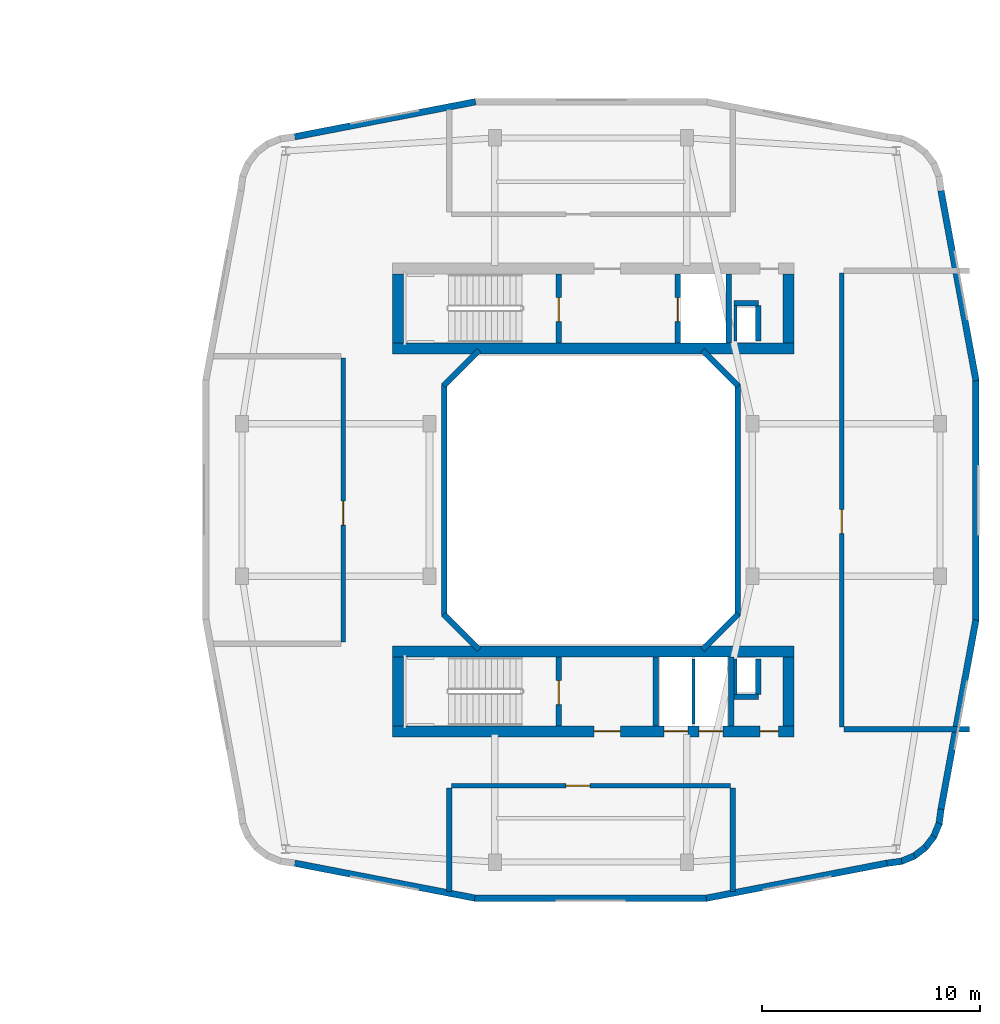
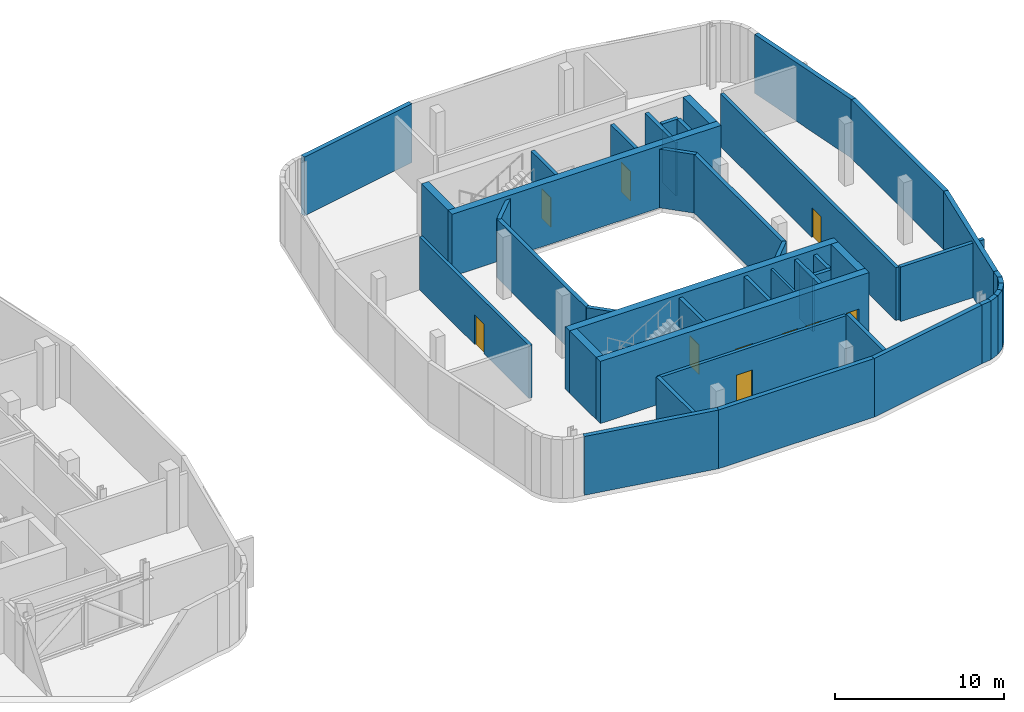
# One storey, part 10 of 18: 45 walls, 10 doors, 10 openings.
"""IFC4 building model written with IfcOpenShell, lengths in metres."""

from ifc_helpers import new_model, si_unit, derived_unit, direction, frame, frame_2d, origin, place, context, subcontext, project, spatial, rectangle, extrude, material, layer, layer_set, type_object, element, fill, save


model = new_model("IFC4")

# Units and contexts
model_context = context("Model", 3, precision=1e-05, world=origin(), true_north=direction((0.0, 1.0)))
body_context = subcontext(model_context, "Body", "Model", "MODEL_VIEW")
ifc_project = project(units=[si_unit("LENGTHUNIT", "METRE"), si_unit("AREAUNIT", "SQUARE_METRE"), si_unit("VOLUMEUNIT", "CUBIC_METRE"), si_unit("PLANEANGLEUNIT", "RADIAN"), si_unit("MASSUNIT", "GRAM", prefix="KILO"), derived_unit("THERMALTRANSMITTANCEUNIT", [(si_unit("POWERUNIT", "WATT"), 1), (si_unit("LENGTHUNIT", "METRE"), -2), (si_unit("THERMODYNAMICTEMPERATUREUNIT", "KELVIN"), -1)])], contexts=[model_context])

# Site, building, storey
site_placement = place(None, origin())
site = spatial("IfcSite", under=ifc_project, at=site_placement, CompositionType="ELEMENT")
building_placement = place(site_placement, origin())
building = spatial("IfcBuilding", under=site, at=building_placement, Name="Kivonza Crest Hotel", CompositionType="ELEMENT")
storey_placement = place(building_placement, frame((0.0, 0.0, 90.5)))
storey = spatial("IfcBuildingStorey", under=building, at=storey_placement, Name="L24", CompositionType="ELEMENT", Elevation=90.5)

# Wall, opening, door
ifc_material_1 = material(Name="Autoclaved aerated concrete blockwork", Category="masonry")
ifc_layer_1 = layer(ifc_material_1, 0.219970703125)
ifc_layer_set_1 = layer_set([ifc_layer_1], Name="Autoclaved aerated concrete blockwork")
wall_type_1 = type_object("IfcWallType", Name="WL-ACOU-220", PredefinedType="SOLIDWALL", material=ifc_layer_set_1)
wall_1_placement = place(storey_placement, frame((65.64990234375, 18.5, 0.0), z_axis=(0.0, 0.0, 1.0), x_axis=(0.0, 1.0, 0.0)))
wall_1 = element("IfcWall", 1, at=wall_1_placement, inside=storey, type_object=wall_type_1, Name="L24 interior partition WA-L24-T2-AHU-E", PredefinedType="SOLIDWALL", context=body_context, shape_type="SweptSolid", body=[
    extrude(rectangle(XDim=13.0, YDim=0.219970703125, at=frame_2d((6.5, 0.0))), origin(), (0.0, 0.0, 1.0), 3.824951171875),
])
opening_1_placement = place(wall_1_placement, frame((5.344970703125, 0.0, 0.0)))
opening_1 = element("IfcOpeningElement", 2, at=opening_1_placement, cuts=wall_1, Name="Opening DF-120", PredefinedType="OPENING", context=body_context, shape_type="SweptSolid", body=[
    extrude(rectangle(XDim=1.10009765625, YDim=2.14990234375, at=frame_2d((0.550048828125, 1.074951171875))), frame((0.0, 0.1201171875, 0.0), z_axis=(0.0, -1.0, 0.0), x_axis=(1.0, 0.0, 0.0)), (0.0, 0.0, 1.0), 0.239990234375),
])
ifc_material_2 = material(Name="Galvanised steel", Category="steel")
door_type_1 = type_object("IfcDoorType", Name="DR-FD120-1100", OperationType="NOTDEFINED", PredefinedType="DOOR", material=ifc_material_2)
door_1_placement = place(opening_1_placement, origin())
door_1 = element("IfcDoor", 3, at=door_1_placement, inside=storey, type_object=door_type_1, Name="L24 Companion AHU Mechanical Plant Room door", OperationType="SINGLE_SWING_RIGHT", OverallHeight=2.14990234375, OverallWidth=1.10009765625, PredefinedType="DOOR", context=body_context, shape_type="SweptSolid", body=[
    extrude(rectangle(XDim=1.10009765625, YDim=2.14990234375, at=frame_2d((0.550048828125, 1.074951171875))), frame((0.0, 0.02490234375, 0.0), z_axis=(0.0, -1.0, 0.0), x_axis=(1.0, 0.0, 0.0)), (0.0, 0.0, 1.0), 0.050048828125),
])
fill(opening_1, door_1)

wall_2_placement = place(storey_placement, frame((88.5, 14.60009765625, 0.0), z_axis=(0.0, 0.0, 1.0), x_axis=(0.0, 1.0, 0.0)))
wall_2 = element("IfcWall", 4, at=wall_2_placement, inside=storey, type_object=wall_type_1, Name="L24 interior partition WA-L24-T2-PMP-W", PredefinedType="SOLIDWALL", context=body_context, shape_type="SweptSolid", body=[
    extrude(rectangle(XDim=20.7998046875, YDim=0.219970703125, at=frame_2d((10.39990234375, 0.0))), origin(), (0.0, 0.0, 1.0), 3.824951171875),
])
opening_2_placement = place(wall_2_placement, frame((8.85498046875, 0.0, 0.0)))
opening_2 = element("IfcOpeningElement", 5, at=opening_2_placement, cuts=wall_2, Name="Opening DF-120", PredefinedType="OPENING", context=body_context, shape_type="SweptSolid", body=[
    extrude(rectangle(XDim=1.10009765625, YDim=2.14990234375, at=frame_2d((0.550048828125, 1.074951171875))), frame((0.0, 0.1201171875, 0.0), z_axis=(0.0, -1.0, 0.0), x_axis=(1.0, 0.0, 0.0)), (0.0, 0.0, 1.0), 0.239990234375),
])
door_2_placement = place(opening_2_placement, frame((1.10009765625, 0.0, 0.0), z_axis=(0.0, 0.0, 1.0), x_axis=(-1.0, 0.0, 0.0)))
door_2 = element("IfcDoor", 6, at=door_2_placement, inside=storey, type_object=door_type_1, Name="L24 Companion Booster Pump Plant Room door", OperationType="SINGLE_SWING_LEFT", OverallHeight=2.14990234375, OverallWidth=1.10009765625, PredefinedType="DOOR", context=body_context, shape_type="SweptSolid", body=[
    extrude(rectangle(XDim=1.10009765625, YDim=2.14990234375, at=frame_2d((0.550048828125, 1.074951171875))), frame((0.0, 0.02490234375, 0.0), z_axis=(0.0, -1.0, 0.0), x_axis=(1.0, 0.0, 0.0)), (0.0, 0.0, 1.0), 0.050048828125),
])
fill(opening_2, door_2)

wall_3_placement = place(storey_placement, frame((70.60009765625, 11.89990234375, 0.0), z_axis=(0.0, 0.0, 1.0), x_axis=(1.0, 0.0, 0.0)))
wall_3 = element("IfcWall", 7, at=wall_3_placement, inside=storey, type_object=wall_type_1, Name="L24 interior partition WA-L24-T2-SWG-N", PredefinedType="SOLIDWALL", context=body_context, shape_type="SweptSolid", body=[
    extrude(rectangle(XDim=12.7998046875, YDim=0.219970703125, at=frame_2d((6.39990234375, 0.0))), origin(), (0.0, 0.0, 1.0), 3.824951171875),
])
opening_3_placement = place(wall_3_placement, frame((5.2548828125, 0.0, 0.0)))
opening_3 = element("IfcOpeningElement", 8, at=opening_3_placement, cuts=wall_3, Name="Opening DF-120", PredefinedType="OPENING", context=body_context, shape_type="SweptSolid", body=[
    extrude(rectangle(XDim=1.10009765625, YDim=2.14990234375, at=frame_2d((0.550048828125, 1.074951171875))), frame((0.0, 0.1201171875, 0.0), z_axis=(0.0, -1.0, 0.0), x_axis=(1.0, 0.0, 0.0)), (0.0, 0.0, 1.0), 0.239990234375),
])
door_3_placement = place(opening_3_placement, frame((1.10009765625, 0.0, 0.0), z_axis=(0.0, 0.0, 1.0), x_axis=(-1.0, 0.0, 0.0)))
door_3 = element("IfcDoor", 9, at=door_3_placement, inside=storey, type_object=door_type_1, Name="L24 Companion Electrical Plant Room door", OperationType="SINGLE_SWING_RIGHT", OverallHeight=2.14990234375, OverallWidth=1.10009765625, PredefinedType="DOOR", context=body_context, shape_type="SweptSolid", body=[
    extrude(rectangle(XDim=1.10009765625, YDim=2.14990234375, at=frame_2d((0.550048828125, 1.074951171875))), frame((0.0, 0.02490234375, 0.0), z_axis=(0.0, -1.0, 0.0), x_axis=(1.0, 0.0, 0.0)), (0.0, 0.0, 1.0), 0.050048828125),
])
fill(opening_3, door_3)

# Walls
ifc_material_3 = material(Name="Concrete C60/75", Category="concrete")
ifc_layer_2 = layer(ifc_material_3, 0.5)
ifc_layer_set_2 = layer_set([ifc_layer_2], Name="Concrete C60/75")
wall_type_2 = type_object("IfcWallType", Name="WL-CORE-500", PredefinedType="SHEAR", material=ifc_layer_set_2)
wall_4_placement = place(storey_placement, frame((67.89990234375, 31.949951171875, 0.0), z_axis=(0.0, 0.0, 1.0), x_axis=(1.0, 0.0, 0.0)))
element("IfcWall", 10, at=wall_4_placement, inside=storey, type_object=wall_type_2, Name="Core wall T2-N South L24", PredefinedType="SHEAR", context=body_context, shape_type="SweptSolid", body=[
    extrude(rectangle(XDim=18.400146484375, YDim=0.5, at=frame_2d((9.2001953125, 0.0))), origin(), (0.0, 0.0, 1.0), 4.5),
])
for number, where, z_axis, x_axis, name in (
    (11, (68.14990234375, 32.199951171875, 0.0), (0.0, 0.0, 1.0), (0.0, 1.0, 0.0), "Core wall T2-N West L24"),
    (12, (86.050048828125, 32.199951171875, 0.0), (0.0, 0.0, 1.0), (0.0, 1.0, 0.0), "Core wall T2-N East L24"),
):
    element("IfcWall", number, at=place(storey_placement, frame(where, z_axis=z_axis, x_axis=x_axis)), inside=storey, type_object=wall_type_2, Name=name, PredefinedType="SHEAR", context=body_context, shape_type="SweptSolid", body=[
        extrude(rectangle(XDim=3.16015625, YDim=0.5, at=frame_2d((1.580078125, 0.0))), origin(), (0.0, 0.0, 1.0), 4.5),
    ])

# Wall, openings, doors
wall_5_placement = place(storey_placement, frame((67.89990234375, 14.389892578125, 0.0), z_axis=(0.0, 0.0, 1.0), x_axis=(1.0, 0.0, 0.0)))
wall_5 = element("IfcWall", 13, at=wall_5_placement, inside=storey, type_object=wall_type_2, Name="Core wall T2-S South L24", PredefinedType="SHEAR", context=body_context, shape_type="SweptSolid", body=[
    extrude(rectangle(XDim=18.400146484375, YDim=0.5, at=frame_2d((9.2001953125, 0.0))), origin(), (0.0, 0.0, 1.0), 4.5),
])
opening_4_placement = place(wall_5_placement, frame((9.25, 0.0, 0.0)))
opening_4 = element("IfcOpeningElement", 14, at=opening_4_placement, cuts=wall_5, Name="Opening DF-60", PredefinedType="OPENING", context=body_context, shape_type="SweptSolid", body=[
    extrude(rectangle(XDim=1.199951171875, YDim=2.14990234375, at=frame_2d((0.60009765625, 1.074951171875))), frame((0.0, 0.260009765625, 0.0), z_axis=(0.0, -1.0, 0.0), x_axis=(1.0, 0.0, 0.0)), (0.0, 0.0, 1.0), 0.52001953125),
])
opening_5_placement = place(wall_5_placement, frame((16.85009765625, 0.0, 0.0)))
opening_5 = element("IfcOpeningElement", 15, at=opening_5_placement, cuts=wall_5, Name="Opening DF-60R", PredefinedType="OPENING", context=body_context, shape_type="SweptSolid", body=[
    extrude(rectangle(XDim=0.85009765625, YDim=2.10009765625, at=frame_2d((0.425048828125, 1.050048828125))), frame((0.0, 0.260009765625, 0.0), z_axis=(0.0, -1.0, 0.0), x_axis=(1.0, 0.0, 0.0)), (0.0, 0.0, 1.0), 0.52001953125),
])
opening_6_placement = place(wall_5_placement, frame((12.449951171875, 0.0, 0.0)))
opening_6 = element("IfcOpeningElement", 16, at=opening_6_placement, cuts=wall_5, Name="Opening LD-120", PredefinedType="OPENING", context=body_context, shape_type="SweptSolid", body=[
    extrude(rectangle(XDim=1.10009765625, YDim=2.14990234375, at=frame_2d((0.550048828125, 1.074951171875))), frame((0.0, 0.260009765625, 0.0), z_axis=(0.0, -1.0, 0.0), x_axis=(1.0, 0.0, 0.0)), (0.0, 0.0, 1.0), 0.52001953125),
])
opening_7_placement = place(wall_5_placement, frame((14.050048828125, 0.0, 0.0)))
opening_7 = element("IfcOpeningElement", 17, at=opening_7_placement, cuts=wall_5, Name="Opening LD-120", PredefinedType="OPENING", context=body_context, shape_type="SweptSolid", body=[
    extrude(rectangle(XDim=1.10009765625, YDim=2.14990234375, at=frame_2d((0.550048828125, 1.074951171875))), frame((0.0, 0.260009765625, 0.0), z_axis=(0.0, -1.0, 0.0), x_axis=(1.0, 0.0, 0.0)), (0.0, 0.0, 1.0), 0.52001953125),
])
ifc_material_4 = material(Name="Hardwood timber oak", Category="wood")
door_type_2 = type_object("IfcDoorType", Name="DR-FD60-1200", OperationType="NOTDEFINED", PredefinedType="DOOR", material=ifc_material_4)
door_4_placement = place(opening_4_placement, frame((1.199951171875, 0.0, 0.0), z_axis=(0.0, 0.0, 1.0), x_axis=(-1.0, 0.0, 0.0)))
door_4 = element("IfcDoor", 18, at=door_4_placement, inside=storey, type_object=door_type_2, Name="L24 T2-S firefighting lobby fire door", OperationType="SINGLE_SWING_LEFT", OverallHeight=2.14990234375, OverallWidth=1.199951171875, PredefinedType="DOOR", context=body_context, shape_type="SweptSolid", body=[
    extrude(rectangle(XDim=1.199951171875, YDim=2.14990234375, at=frame_2d((0.60009765625, 1.074951171875))), frame((0.0, 0.02490234375, 0.0), z_axis=(0.0, -1.0, 0.0), x_axis=(1.0, 0.0, 0.0)), (0.0, 0.0, 1.0), 0.050048828125),
])
fill(opening_4, door_4)
door_type_3 = type_object("IfcDoorType", Name="DR-FD60-850", OperationType="NOTDEFINED", PredefinedType="DOOR", material=ifc_material_4)
door_5_placement = place(opening_5_placement, frame((0.85009765625, 0.0, 0.0), z_axis=(0.0, 0.0, 1.0), x_axis=(-1.0, 0.0, 0.0)))
door_5 = element("IfcDoor", 19, at=door_5_placement, inside=storey, type_object=door_type_3, Name="L24 T2-S core room door", OperationType="SINGLE_SWING_RIGHT", OverallHeight=2.10009765625, OverallWidth=0.85009765625, PredefinedType="DOOR", context=body_context, shape_type="SweptSolid", body=[
    extrude(rectangle(XDim=0.85009765625, YDim=2.10009765625, at=frame_2d((0.425048828125, 1.050048828125))), frame((0.0, 0.02490234375, 0.0), z_axis=(0.0, -1.0, 0.0), x_axis=(1.0, 0.0, 0.0)), (0.0, 0.0, 1.0), 0.050048828125),
])
fill(opening_5, door_5)
ifc_material_5 = material(Name="Stainless steel", Category="steel")
door_type_4 = type_object("IfcDoorType", Name="DR-LD120-1100", OperationType="NOTDEFINED", PredefinedType="DOOR", material=ifc_material_5)
door_6_placement = place(opening_6_placement, frame((1.10009765625, 0.0, 0.0), z_axis=(0.0, 0.0, 1.0), x_axis=(-1.0, 0.0, 0.0)))
door_6 = element("IfcDoor", 20, at=door_6_placement, inside=storey, type_object=door_type_4, Name="L24 PL-T2-1 passenger lift sliding landing door", OperationType="DOUBLE_DOOR_SLIDING", OverallHeight=2.14990234375, OverallWidth=1.10009765625, PredefinedType="DOOR", context=body_context, shape_type="SweptSolid", body=[
    extrude(rectangle(XDim=1.10009765625, YDim=2.14990234375, at=frame_2d((0.550048828125, 1.074951171875))), frame((0.0, 0.02490234375, 0.0), z_axis=(0.0, -1.0, 0.0), x_axis=(1.0, 0.0, 0.0)), (0.0, 0.0, 1.0), 0.050048828125),
])
fill(opening_6, door_6)
door_7_placement = place(opening_7_placement, frame((1.10009765625, 0.0, 0.0), z_axis=(0.0, 0.0, 1.0), x_axis=(-1.0, 0.0, 0.0)))
door_7 = element("IfcDoor", 21, at=door_7_placement, inside=storey, type_object=door_type_4, Name="L24 PL-T2-2 passenger lift sliding landing door", OperationType="DOUBLE_DOOR_SLIDING", OverallHeight=2.14990234375, OverallWidth=1.10009765625, PredefinedType="DOOR", context=body_context, shape_type="SweptSolid", body=[
    extrude(rectangle(XDim=1.10009765625, YDim=2.14990234375, at=frame_2d((0.550048828125, 1.074951171875))), frame((0.0, 0.02490234375, 0.0), z_axis=(0.0, -1.0, 0.0), x_axis=(1.0, 0.0, 0.0)), (0.0, 0.0, 1.0), 0.050048828125),
])
fill(opening_7, door_7)

# Walls
wall_6_placement = place(storey_placement, frame((67.89990234375, 18.050048828125, 0.0), z_axis=(0.0, 0.0, 1.0), x_axis=(1.0, 0.0, 0.0)))
element("IfcWall", 22, at=wall_6_placement, inside=storey, type_object=wall_type_2, Name="Core wall T2-S North L24", PredefinedType="SHEAR", context=body_context, shape_type="SweptSolid", body=[
    extrude(rectangle(XDim=18.400146484375, YDim=0.5, at=frame_2d((9.2001953125, 0.0))), origin(), (0.0, 0.0, 1.0), 4.5),
])
for number, where, z_axis, x_axis, name in (
    (23, (68.14990234375, 14.639892578125, 0.0), (0.0, 0.0, 1.0), (0.0, 1.0, 0.0), "Core wall T2-S West L24"),
    (24, (86.050048828125, 14.639892578125, 0.0), (0.0, 0.0, 1.0), (0.0, 1.0, 0.0), "Core wall T2-S East L24"),
):
    element("IfcWall", number, at=place(storey_placement, frame(where, z_axis=z_axis, x_axis=x_axis)), inside=storey, type_object=wall_type_2, Name=name, PredefinedType="SHEAR", context=body_context, shape_type="SweptSolid", body=[
        extrude(rectangle(XDim=3.16015625, YDim=0.5, at=frame_2d((1.580078125, 0.0))), origin(), (0.0, 0.0, 1.0), 4.5),
    ])
ifc_material_6 = material(Name="Precast concrete C40/50", Category="concrete")
ifc_layer_3 = layer(ifc_material_6, 0.260009765625)
ifc_layer_set_3 = layer_set([ifc_layer_3], Name="Precast concrete C40/50")
wall_type_3 = type_object("IfcWallType", Name="WL-EXT-260", PredefinedType="STANDARD", material=ifc_layer_set_3)
wall_7_placement = place(storey_placement, frame((82.1220703125, 18.137939453125, 0.0), z_axis=(0.0, 0.0, 1.0), x_axis=(0.707106781187, 0.707106781187, 0.0)))
element("IfcWall", 25, at=wall_7_placement, inside=storey, type_object=wall_type_3, Name="L24 T2 light-well exterior wall 2", PredefinedType="STANDARD", context=body_context, shape_type="SweptSolid", body=[
    extrude(rectangle(XDim=2.310791015625, YDim=0.260009765625, at=frame_2d((1.1552734375, 0.0))), origin(), (0.0, 0.0, 1.0), 4.25),
])
wall_8_placement = place(storey_placement, frame((83.72998046875, 19.7099609375, 0.0), z_axis=(0.0, 0.0, 1.0), x_axis=(0.0, 1.0, 0.0)))
element("IfcWall", 26, at=wall_8_placement, inside=storey, type_object=wall_type_3, Name="L24 T2 light-well exterior wall 3", PredefinedType="STANDARD", context=body_context, shape_type="SweptSolid", body=[
    extrude(rectangle(XDim=10.580078125, YDim=0.260009765625, at=frame_2d((5.2900390625, 0.0))), origin(), (0.0, 0.0, 1.0), 4.25),
])
for number, where, z_axis, x_axis, name in (
    (27, (83.756103515625, 30.22802734375, 0.0), (0.0, 0.0, 1.0), (-0.707106781187, 0.707106781187, 0.0), "L24 T2 light-well exterior wall 4"),
    (28, (71.8779296875, 31.862060546875, 0.0), (0.0, 0.0, 1.0), (-0.707106781187, -0.707106781187, 0.0), "L24 T2 light-well exterior wall 6"),
):
    element("IfcWall", number, at=place(storey_placement, frame(where, z_axis=z_axis, x_axis=x_axis)), inside=storey, type_object=wall_type_3, Name=name, PredefinedType="STANDARD", context=body_context, shape_type="SweptSolid", body=[
        extrude(rectangle(XDim=2.310791015625, YDim=0.260009765625, at=frame_2d((1.1552734375, 0.0))), origin(), (0.0, 0.0, 1.0), 4.25),
    ])
wall_9_placement = place(storey_placement, frame((70.27001953125, 30.2900390625, 0.0), z_axis=(0.0, 0.0, 1.0), x_axis=(0.0, -1.0, 0.0)))
element("IfcWall", 29, at=wall_9_placement, inside=storey, type_object=wall_type_3, Name="L24 T2 light-well exterior wall 7", PredefinedType="STANDARD", context=body_context, shape_type="SweptSolid", body=[
    extrude(rectangle(XDim=10.580078125, YDim=0.260009765625, at=frame_2d((5.2900390625, 0.0))), origin(), (0.0, 0.0, 1.0), 4.25),
])
wall_10_placement = place(storey_placement, frame((70.243896484375, 19.77197265625, 0.0), z_axis=(0.0, 0.0, 1.0), x_axis=(0.707106781187, -0.707106781187, 0.0)))
element("IfcWall", 30, at=wall_10_placement, inside=storey, type_object=wall_type_3, Name="L24 T2 light-well exterior wall 8", PredefinedType="STANDARD", context=body_context, shape_type="SweptSolid", body=[
    extrude(rectangle(XDim=2.310791015625, YDim=0.260009765625, at=frame_2d((1.1552734375, 0.0))), origin(), (0.0, 0.0, 1.0), 4.25),
])
ifc_layer_4 = layer(ifc_material_6, 0.300048828125)
ifc_layer_set_4 = layer_set([ifc_layer_4], Name="Precast concrete C40/50")
wall_type_4 = type_object("IfcWallType", Name="WL-EXT-300", PredefinedType="STANDARD", material=ifc_layer_set_4)
wall_11_placement = place(storey_placement, frame((63.4208984375, 8.34912109375, 0.0), z_axis=(0.0, 0.0, 1.0), x_axis=(0.98174070399, -0.190224052445, 0.0)))
element("IfcWall", 31, at=wall_11_placement, inside=storey, type_object=wall_type_4, Name="L24 T2 exterior insulated wall 7", PredefinedType="STANDARD", context=body_context, shape_type="SweptSolid", body=[
    extrude(rectangle(XDim=8.41162109375, YDim=0.300048828125, at=frame_2d((4.205810546875, 0.0))), origin(), (0.0, 0.0, 1.0), 4.25),
])
wall_12_placement = place(storey_placement, frame((71.635009765625, 6.75, 0.0), z_axis=(0.0, 0.0, 1.0), x_axis=(1.0, 0.0, 0.0)))
element("IfcWall", 32, at=wall_12_placement, inside=storey, type_object=wall_type_4, Name="L24 T2 exterior insulated wall 8", PredefinedType="STANDARD", context=body_context, shape_type="SweptSolid", body=[
    extrude(rectangle(XDim=10.695068359375, YDim=0.300048828125, at=frame_2d((5.34765625, 0.0))), origin(), (0.0, 0.0, 1.0), 4.25),
])
wall_13_placement = place(storey_placement, frame((82.285888671875, 6.741943359375, 0.0), z_axis=(0.0, 0.0, 1.0), x_axis=(0.981734775858, 0.190254644808, 0.0)))
element("IfcWall", 33, at=wall_13_placement, inside=storey, type_object=wall_type_4, Name="L24 T2 exterior insulated wall 9", PredefinedType="STANDARD", context=body_context, shape_type="SweptSolid", body=[
    extrude(rectangle(XDim=8.447509765625, YDim=0.300048828125, at=frame_2d((4.2236328125, 0.0))), origin(), (0.0, 0.0, 1.0), 4.25),
])
wall_14_placement = place(storey_placement, frame((90.572021484375, 8.347900390625, 0.0), z_axis=(0.0, 0.0, 1.0), x_axis=(0.991293937098, 0.131667498923, 0.0)))
element("IfcWall", 34, at=wall_14_placement, inside=storey, type_object=wall_type_4, Name="L24 T2 exterior insulated wall 10", PredefinedType="STANDARD", context=body_context, shape_type="SweptSolid", body=[
    extrude(rectangle(XDim=0.6767578125, YDim=0.300048828125, at=frame_2d((0.33837890625, 0.0))), origin(), (0.0, 0.0, 1.0), 4.25),
])
wall_15_placement = place(storey_placement, frame((91.193115234375, 8.41796875, 0.0), z_axis=(0.0, 0.0, 1.0), x_axis=(0.924042561464, 0.382289608286, 0.0)))
element("IfcWall", 35, at=wall_15_placement, inside=storey, type_object=wall_type_4, Name="L24 T2 exterior insulated wall 11", PredefinedType="STANDARD", context=body_context, shape_type="SweptSolid", body=[
    extrude(rectangle(XDim=0.693603515625, YDim=0.300048828125, at=frame_2d((0.3466796875, 0.0))), origin(), (0.0, 0.0, 1.0), 4.25),
])
for number, where, z_axis, x_axis, name in (
    (36, (91.7890625, 8.652099609375, 0.0), (0.0, 0.0, 1.0), (0.792807092876, 0.609472651958, 0.0), "L24 T2 exterior insulated wall 12"),
    (37, (92.303955078125, 9.032958984375, 0.0), (0.0, 0.0, 1.0), (0.609693758543, 0.792637067512, 0.0), "L24 T2 exterior insulated wall 13"),
    (38, (92.702880859375, 9.533935546875, 0.0), (0.0, 0.0, 1.0), (0.382165294877, 0.924093981904, 0.0), "L24 T2 exterior insulated wall 14"),
):
    element("IfcWall", number, at=place(storey_placement, frame(where, z_axis=z_axis, x_axis=x_axis)), inside=storey, type_object=wall_type_4, Name=name, PredefinedType="STANDARD", context=body_context, shape_type="SweptSolid", body=[
        extrude(rectangle(XDim=0.69384765625, YDim=0.300048828125, at=frame_2d((0.346923828125, 0.0))), origin(), (0.0, 0.0, 1.0), 4.25),
    ])
wall_16_placement = place(storey_placement, frame((92.958984375, 10.1220703125, 0.0), z_axis=(0.0, 0.0, 1.0), x_axis=(0.130658543777, 0.991427427974, 0.0)))
element("IfcWall", 39, at=wall_16_placement, inside=storey, type_object=wall_type_4, Name="L24 T2 exterior insulated wall 15", PredefinedType="STANDARD", context=body_context, shape_type="SweptSolid", body=[
    extrude(rectangle(XDim=0.7119140625, YDim=0.300048828125, at=frame_2d((0.35595703125, 0.0))), origin(), (0.0, 0.0, 1.0), 4.25),
])
wall_17_placement = place(storey_placement, frame((93.051025390625, 10.819091796875, 0.0), z_axis=(0.0, 0.0, 1.0), x_axis=(0.181195526793, 0.983447091139, 0.0)))
element("IfcWall", 40, at=wall_17_placement, inside=storey, type_object=wall_type_4, Name="L24 T2 exterior insulated wall 16", PredefinedType="STANDARD", context=body_context, shape_type="SweptSolid", body=[
    extrude(rectangle(XDim=8.823974609375, YDim=0.300048828125, at=frame_2d((4.412109375, 0.0))), origin(), (0.0, 0.0, 1.0), 4.25),
])
wall_18_placement = place(storey_placement, frame((94.64990234375, 19.455078125, 0.0), z_axis=(0.0, 0.0, 1.0), x_axis=(0.0, 1.0, 0.0)))
element("IfcWall", 41, at=wall_18_placement, inside=storey, type_object=wall_type_4, Name="L24 T2 exterior insulated wall 17", PredefinedType="STANDARD", context=body_context, shape_type="SweptSolid", body=[
    extrude(rectangle(XDim=11.054931640625, YDim=0.300048828125, at=frame_2d((5.52734375, 0.0))), origin(), (0.0, 0.0, 1.0), 4.25),
])
wall_19_placement = place(storey_placement, frame((94.656982421875, 30.468017578125, 0.0), z_axis=(0.0, 0.0, 1.0), x_axis=(-0.181266231142, 0.983434061566, 0.0)))
element("IfcWall", 42, at=wall_19_placement, inside=storey, type_object=wall_type_4, Name="L24 T2 exterior insulated wall 18", PredefinedType="STANDARD", context=body_context, shape_type="SweptSolid", body=[
    extrude(rectangle(XDim=8.859619140625, YDim=0.300048828125, at=frame_2d((4.4296875, 0.0))), origin(), (0.0, 0.0, 1.0), 4.25),
])
wall_20_placement = place(storey_placement, frame((71.714111328125, 43.258056640625, 0.0), z_axis=(0.0, 0.0, 1.0), x_axis=(-0.981734775858, -0.190254644808, 0.0)))
element("IfcWall", 43, at=wall_20_placement, inside=storey, type_object=wall_type_4, Name="L24 T2 exterior insulated wall 27", PredefinedType="STANDARD", context=body_context, shape_type="SweptSolid", body=[
    extrude(rectangle(XDim=8.447509765625, YDim=0.300048828125, at=frame_2d((4.2236328125, 0.0))), origin(), (0.0, 0.0, 1.0), 4.25),
])
ifc_material_7 = material(Name="Concrete blockwork fire-compartment wall", Category="masonry")
ifc_layer_5 = layer(ifc_material_7, 0.25)
ifc_layer_set_5 = layer_set([ifc_layer_5], Name="Concrete blockwork fire-compartment wall")
wall_type_5 = type_object("IfcWallType", Name="WL-FIRE-250", PredefinedType="SOLIDWALL", material=ifc_layer_set_5)
wall_21_placement = place(storey_placement, frame((84.679931640625, 32.300048828125, 0.0), z_axis=(0.0, 0.0, 1.0), x_axis=(0.0, 1.0, 0.0)))
element("IfcWall", 44, at=wall_21_placement, inside=storey, type_object=wall_type_5, Name="L24 interior partition WA-L24-T2-N-MEPR-E", PredefinedType="SOLIDWALL", context=body_context, shape_type="SweptSolid", body=[
    extrude(rectangle(XDim=1.619873046875, YDim=0.25, at=frame_2d((0.81005859375, 0.0))), origin(), (0.0, 0.0, 1.0), 4.219970703125),
])
wall_22_placement = place(storey_placement, frame((83.550048828125, 34.02001953125, 0.0), z_axis=(0.0, 0.0, 1.0), x_axis=(1.0, 0.0, 0.0)))
element("IfcWall", 45, at=wall_22_placement, inside=storey, type_object=wall_type_5, Name="L24 interior partition WA-L24-T2-N-MEPR-H", PredefinedType="SOLIDWALL", context=body_context, shape_type="SweptSolid", body=[
    extrude(rectangle(XDim=1.1298828125, YDim=0.25, at=frame_2d((0.56494140625, 0.0))), origin(), (0.0, 0.0, 1.0), 4.219970703125),
])
wall_23_placement = place(storey_placement, frame((84.679931640625, 16.080078125, 0.0), z_axis=(0.0, 0.0, 1.0), x_axis=(0.0, 1.0, 0.0)))
element("IfcWall", 46, at=wall_23_placement, inside=storey, type_object=wall_type_5, Name="L24 interior partition WA-L24-T2-S-MEPR-E", PredefinedType="SOLIDWALL", context=body_context, shape_type="SweptSolid", body=[
    extrude(rectangle(XDim=1.619873046875, YDim=0.25, at=frame_2d((0.81005859375, 0.0))), origin(), (0.0, 0.0, 1.0), 4.219970703125),
])
wall_24_placement = place(storey_placement, frame((83.550048828125, 15.97998046875, 0.0), z_axis=(0.0, 0.0, 1.0), x_axis=(1.0, 0.0, 0.0)))
element("IfcWall", 47, at=wall_24_placement, inside=storey, type_object=wall_type_5, Name="L24 interior partition WA-L24-T2-S-MEPR-H", PredefinedType="SOLIDWALL", context=body_context, shape_type="SweptSolid", body=[
    extrude(rectangle(XDim=1.1298828125, YDim=0.25, at=frame_2d((0.56494140625, 0.0))), origin(), (0.0, 0.0, 1.0), 4.219970703125),
])
wall_25_placement = place(storey_placement, frame((88.60009765625, 14.5, 0.0), z_axis=(0.0, 0.0, 1.0), x_axis=(1.0, 0.0, 0.0)))
element("IfcWall", 48, at=wall_25_placement, inside=storey, type_object=wall_type_5, Name="L24 interior partition WP-L24-T2-PMP-BS", PredefinedType="SOLIDWALL", context=body_context, shape_type="SweptSolid", body=[
    extrude(rectangle(XDim=5.75, YDim=0.25, at=frame_2d((2.875, 0.0))), origin(), (0.0, 0.0, 1.0), 3.945068359375),
])
for number, where, z_axis, x_axis, name in (
    (49, (70.5, 7.050048828125, 0.0), (0.0, 0.0, 1.0), (0.0, 1.0, 0.0), "L24 interior partition WP-L24-T2-SWG-BW"),
    (50, (83.5, 7.050048828125, 0.0), (0.0, 0.0, 1.0), (0.0, 1.0, 0.0), "L24 interior partition WP-L24-T2-SWG-BE"),
):
    element("IfcWall", number, at=place(storey_placement, frame(where, z_axis=z_axis, x_axis=x_axis)), inside=storey, type_object=wall_type_5, Name=name, PredefinedType="SOLIDWALL", context=body_context, shape_type="SweptSolid", body=[
        extrude(rectangle(XDim=4.75, YDim=0.25, at=frame_2d((2.375, 0.0))), origin(), (0.0, 0.0, 1.0), 3.945068359375),
    ])
ifc_material_8 = material(Name="Twin-stud acoustic gypsum board partition", Category="gypsum")
ifc_layer_6 = layer(ifc_material_8, 0.14990234375)
ifc_layer_set_6 = layer_set([ifc_layer_6], Name="Twin-stud acoustic gypsum board partition")
wall_type_6 = type_object("IfcWallType", Name="WL-PART-150", PredefinedType="PARTITIONING", material=ifc_layer_set_6)
for number, where, z_axis, x_axis, name in (
    (51, (83.6298828125, 32.300048828125, 0.0), (0.0, 0.0, 1.0), (0.0, 1.0, 0.0), "L24 interior partition WA-L24-T2-N-MEPR-W"),
    (52, (83.6298828125, 16.080078125, 0.0), (0.0, 0.0, 1.0), (0.0, 1.0, 0.0), "L24 interior partition WA-L24-T2-S-MEPR-W"),
):
    element("IfcWall", number, at=place(storey_placement, frame(where, z_axis=z_axis, x_axis=x_axis)), inside=storey, type_object=wall_type_6, Name=name, PredefinedType="PARTITIONING", context=body_context, shape_type="SweptSolid", body=[
        extrude(rectangle(XDim=1.619873046875, YDim=0.14990234375, at=frame_2d((0.81005859375, 0.0))), origin(), (0.0, 0.0, 1.0), 3.824951171875),
    ])
wall_26_placement = place(storey_placement, frame((81.699951171875, 14.739990234375, 0.0), z_axis=(0.0, 0.0, 1.0), x_axis=(0.0, 1.0, 0.0)))
element("IfcWall", 53, at=wall_26_placement, inside=storey, type_object=wall_type_6, Name="L24 interior partition WP-L24-T2-S-BSH-1", PredefinedType="PARTITIONING", context=body_context, shape_type="SweptSolid", body=[
    extrude(rectangle(XDim=2.9599609375, YDim=0.14990234375, at=frame_2d((1.47998046875, 0.0))), origin(), (0.0, 0.0, 1.0), 4.219970703125),
])

# Wall, opening, door
ifc_material_9 = material(Name="Concrete C50/60", Category="concrete")
ifc_layer_7 = layer(ifc_material_9, 0.25)
ifc_layer_set_7 = layer_set([ifc_layer_7], Name="Concrete C50/60")
wall_type_7 = type_object("IfcWallType", Name="WL-SHAFT-250", PredefinedType="STANDARD", material=ifc_layer_set_7)
wall_27_placement = place(storey_placement, frame((75.52490234375, 32.199951171875, 0.0), z_axis=(0.0, 0.0, 1.0), x_axis=(0.0, 1.0, 0.0)))
wall_27 = element("IfcWall", 54, at=wall_27_placement, inside=storey, type_object=wall_type_7, Name="Core shaft wall T2-N STAIR L24", PredefinedType="STANDARD", context=body_context, shape_type="SweptSolid", body=[
    extrude(rectangle(XDim=3.16015625, YDim=0.25, at=frame_2d((1.580078125, 0.0))), origin(), (0.0, 0.0, 1.0), 4.25),
])
opening_8_placement = place(wall_27_placement, frame((0.97998046875, 0.0, 0.0)))
opening_8 = element("IfcOpeningElement", 55, at=opening_8_placement, cuts=wall_27, Name="Opening DF-120", PredefinedType="OPENING", context=body_context, shape_type="SweptSolid", body=[
    extrude(rectangle(XDim=1.10009765625, YDim=2.14990234375, at=frame_2d((0.550048828125, 1.074951171875))), frame((0.0, 0.135009765625, 0.0), z_axis=(0.0, -1.0, 0.0), x_axis=(1.0, 0.0, 0.0)), (0.0, 0.0, 1.0), 0.27001953125),
])
door_8_placement = place(opening_8_placement, frame((1.10009765625, 0.0, 0.0), z_axis=(0.0, 0.0, 1.0), x_axis=(-1.0, 0.0, 0.0)))
door_8 = element("IfcDoor", 56, at=door_8_placement, inside=storey, type_object=door_type_1, Name="L24 T2-N stair fire door", OperationType="SINGLE_SWING_LEFT", OverallHeight=2.14990234375, OverallWidth=1.10009765625, PredefinedType="DOOR", context=body_context, shape_type="SweptSolid", body=[
    extrude(rectangle(XDim=1.10009765625, YDim=2.14990234375, at=frame_2d((0.550048828125, 1.074951171875))), frame((0.0, 0.02490234375, 0.0), z_axis=(0.0, -1.0, 0.0), x_axis=(1.0, 0.0, 0.0)), (0.0, 0.0, 1.0), 0.050048828125),
])
fill(opening_8, door_8)

wall_28_placement = place(storey_placement, frame((80.97509765625, 32.199951171875, 0.0), z_axis=(0.0, 0.0, 1.0), x_axis=(0.0, 1.0, 0.0)))
wall_28 = element("IfcWall", 57, at=wall_28_placement, inside=storey, type_object=wall_type_7, Name="Core shaft wall T2-N FFL-W L24", PredefinedType="STANDARD", context=body_context, shape_type="SweptSolid", body=[
    extrude(rectangle(XDim=3.16015625, YDim=0.25, at=frame_2d((1.580078125, 0.0))), origin(), (0.0, 0.0, 1.0), 4.25),
])
opening_9_placement = place(wall_28_placement, frame((0.97998046875, 0.0, 0.0)))
opening_9 = element("IfcOpeningElement", 58, at=opening_9_placement, cuts=wall_28, Name="Opening LD-120", PredefinedType="OPENING", context=body_context, shape_type="SweptSolid", body=[
    extrude(rectangle(XDim=1.10009765625, YDim=2.14990234375, at=frame_2d((0.550048828125, 1.074951171875))), frame((0.0, 0.135009765625, 0.0), z_axis=(0.0, -1.0, 0.0), x_axis=(1.0, 0.0, 0.0)), (0.0, 0.0, 1.0), 0.27001953125),
])
door_9_placement = place(opening_9_placement, origin())
door_9 = element("IfcDoor", 59, at=door_9_placement, inside=storey, type_object=door_type_4, Name="L24 FFL-T2 firefighting lift sliding landing door", OperationType="DOUBLE_DOOR_SLIDING", OverallHeight=2.14990234375, OverallWidth=1.10009765625, PredefinedType="DOOR", context=body_context, shape_type="SweptSolid", body=[
    extrude(rectangle(XDim=1.10009765625, YDim=2.14990234375, at=frame_2d((0.550048828125, 1.074951171875))), frame((0.0, 0.02490234375, 0.0), z_axis=(0.0, -1.0, 0.0), x_axis=(1.0, 0.0, 0.0)), (0.0, 0.0, 1.0), 0.050048828125),
])
fill(opening_9, door_9)

# Wall
wall_29_placement = place(storey_placement, frame((83.324951171875, 32.199951171875, 0.0), z_axis=(0.0, 0.0, 1.0), x_axis=(0.0, 1.0, 0.0)))
element("IfcWall", 60, at=wall_29_placement, inside=storey, type_object=wall_type_7, Name="Core shaft wall T2-N FFL-E L24", PredefinedType="STANDARD", context=body_context, shape_type="SweptSolid", body=[
    extrude(rectangle(XDim=3.16015625, YDim=0.25, at=frame_2d((1.580078125, 0.0))), origin(), (0.0, 0.0, 1.0), 4.25),
])

# Wall, opening, door
wall_30_placement = place(storey_placement, frame((75.52490234375, 14.639892578125, 0.0), z_axis=(0.0, 0.0, 1.0), x_axis=(0.0, 1.0, 0.0)))
wall_30 = element("IfcWall", 61, at=wall_30_placement, inside=storey, type_object=wall_type_7, Name="Core shaft wall T2-S STAIR L24", PredefinedType="STANDARD", context=body_context, shape_type="SweptSolid", body=[
    extrude(rectangle(XDim=3.16015625, YDim=0.25, at=frame_2d((1.580078125, 0.0))), origin(), (0.0, 0.0, 1.0), 4.25),
])
opening_10_placement = place(wall_30_placement, frame((0.97998046875, 0.0, 0.0)))
opening_10 = element("IfcOpeningElement", 62, at=opening_10_placement, cuts=wall_30, Name="Opening DF-120", PredefinedType="OPENING", context=body_context, shape_type="SweptSolid", body=[
    extrude(rectangle(XDim=1.10009765625, YDim=2.14990234375, at=frame_2d((0.550048828125, 1.074951171875))), frame((0.0, 0.135009765625, 0.0), z_axis=(0.0, -1.0, 0.0), x_axis=(1.0, 0.0, 0.0)), (0.0, 0.0, 1.0), 0.27001953125),
])
door_10_placement = place(opening_10_placement, frame((1.10009765625, 0.0, 0.0), z_axis=(0.0, 0.0, 1.0), x_axis=(-1.0, 0.0, 0.0)))
door_10 = element("IfcDoor", 63, at=door_10_placement, inside=storey, type_object=door_type_1, Name="L24 T2-S stair fire door", OperationType="SINGLE_SWING_RIGHT", OverallHeight=2.14990234375, OverallWidth=1.10009765625, PredefinedType="DOOR", context=body_context, shape_type="SweptSolid", body=[
    extrude(rectangle(XDim=1.10009765625, YDim=2.14990234375, at=frame_2d((0.550048828125, 1.074951171875))), frame((0.0, 0.02490234375, 0.0), z_axis=(0.0, -1.0, 0.0), x_axis=(1.0, 0.0, 0.0)), (0.0, 0.0, 1.0), 0.050048828125),
])
fill(opening_10, door_10)

# Walls
for number, where, z_axis, x_axis, name in (
    (64, (79.97509765625, 14.639892578125, 0.0), (0.0, 0.0, 1.0), (0.0, 1.0, 0.0), "Core shaft wall T2-S BANK-W L24"),
    (65, (83.425048828125, 14.639892578125, 0.0), (0.0, 0.0, 1.0), (0.0, 1.0, 0.0), "Core shaft wall T2-S BANK-E L24"),
):
    element("IfcWall", number, at=place(storey_placement, frame(where, z_axis=z_axis, x_axis=x_axis)), inside=storey, type_object=wall_type_7, Name=name, PredefinedType="STANDARD", context=body_context, shape_type="SweptSolid", body=[
        extrude(rectangle(XDim=3.16015625, YDim=0.25, at=frame_2d((1.580078125, 0.0))), origin(), (0.0, 0.0, 1.0), 4.25),
    ])

save(model, "model.ifc")
